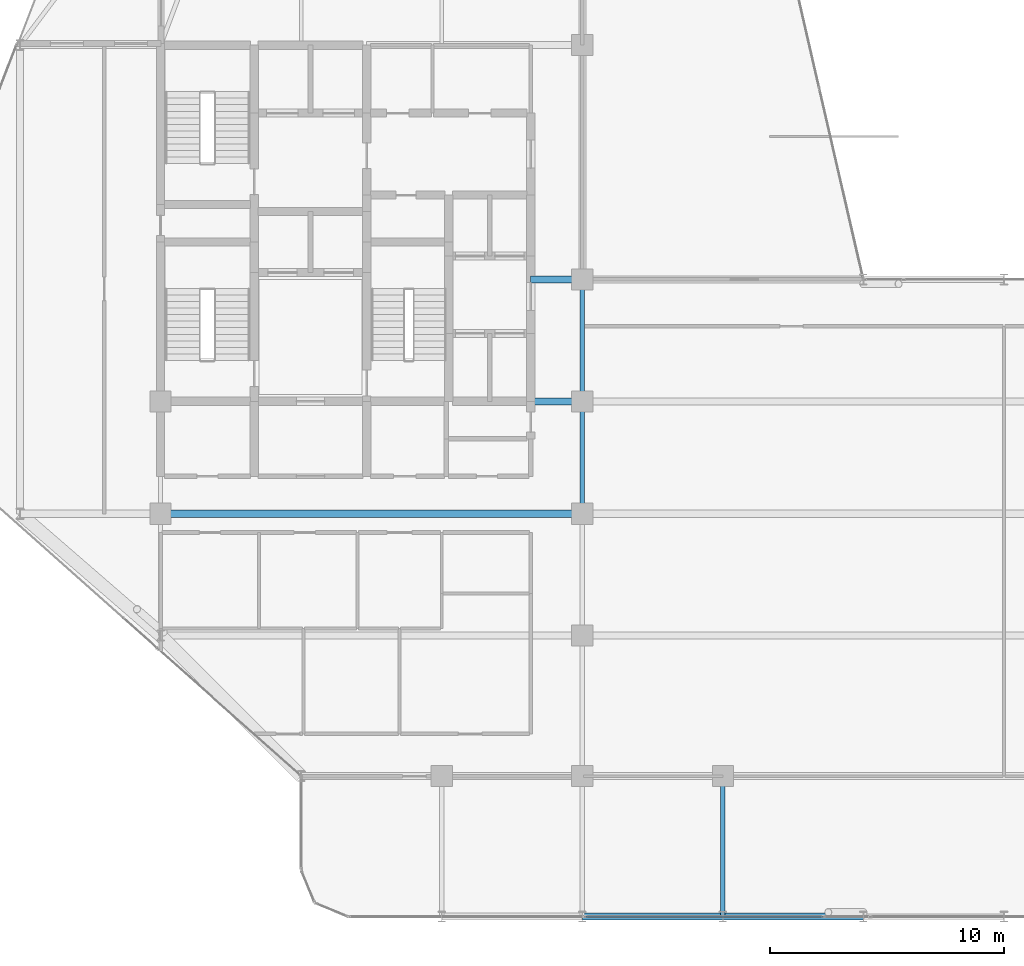
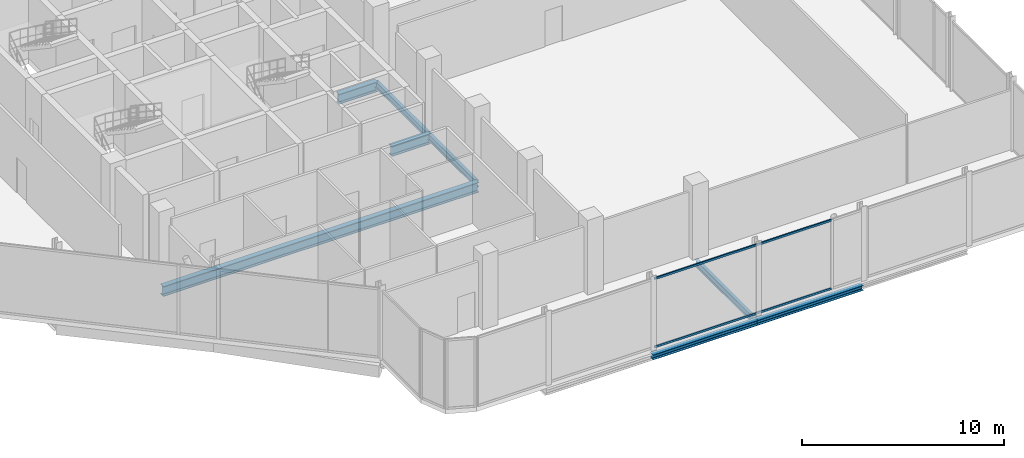
# One storey, part 11 of 31: 8 beams, 2 members, 1 element without a shape of its own.
"""IFC4 building model written with IfcOpenShell, lengths in metres."""

from ifc_helpers import new_model, si_unit, direction, frame, origin, origin_2d, place, context, subcontext, project, spatial, hollow_rectangle, i_section, extrude, material, layer, layer_set, material_profile, profile_set, type_object, element, aggregate, save


model = new_model("IFC4")

# Units and contexts
model_context = context("Model", 3, precision=1e-05, world=origin(), true_north=direction((0.0, 1.0)))
body_context = subcontext(model_context, "Body", "Model", "MODEL_VIEW")
ifc_project = project(units=[si_unit("LENGTHUNIT", "METRE"), si_unit("AREAUNIT", "SQUARE_METRE"), si_unit("VOLUMEUNIT", "CUBIC_METRE"), si_unit("PLANEANGLEUNIT", "RADIAN"), si_unit("MASSUNIT", "GRAM", prefix="KILO")], contexts=[model_context])

# Site, building, storey
site_placement = place(None, origin())
site = spatial("IfcSite", under=ifc_project, at=site_placement, CompositionType="ELEMENT")
building_placement = place(site_placement, origin())
building = spatial("IfcBuilding", under=site, at=building_placement, Name="Keshet Zoharim Tower", CompositionType="ELEMENT")
storey_placement = place(building_placement, frame((0.0, 0.0, 183.89990234375)))
storey = spatial("IfcBuildingStorey", under=building, at=storey_placement, Name="L45", CompositionType="ELEMENT", Elevation=183.89990234375)

# Beams
ifc_material_1 = material(Name="Steel S355", Category="steel")
ifc_material_profile_1 = material_profile(ifc_material_1, i_section(OverallWidth=0.300048828125, OverallDepth=0.60009765625, WebThickness=0.015380859375, FlangeThickness=0.030029296875, FilletRadius=0.027099609375, at=origin_2d()), Name="HEB600")
ifc_profile_set_1 = profile_set([ifc_material_profile_1], Name="Steel S355")
beam_type_1 = type_object("IfcBeamType", Name="BM-CLK-HB600", PredefinedType="BEAM", material=ifc_profile_set_1)
for number, where, z_axis, x_axis, name in (
    (1, (30.800048828125, 22.699951171875, -0.619873046875), (1.0, 0.0, 0.0), (0.0, 1.0, 0.0), "L45 Core Wall Link Girder 01"),
    (2, (30.800048828125, 27.89990234375, -0.619873046875), (1.0, 0.0, 0.0), (0.0, 1.0, 0.0), "L45 Core Wall Link Girder 02"),
):
    element("IfcBeam", number, at=place(storey_placement, frame(where, z_axis=z_axis, x_axis=x_axis)), inside=storey, type_object=beam_type_1, Name=name, PredefinedType="BEAM", context=body_context, shape_type="SweptSolid", body=[
        extrude(i_section(OverallWidth=0.300048828125, OverallDepth=0.60009765625, WebThickness=0.015380859375, FlangeThickness=0.030029296875, FilletRadius=0.027099609375, at=origin_2d()), origin(), (0.0, 0.0, 1.0), 2.199951171875),
    ])
ifc_material_profile_2 = material_profile(ifc_material_1, i_section(OverallWidth=0.300048828125, OverallDepth=0.60009765625, WebThickness=0.015380859375, FlangeThickness=0.030029296875, FilletRadius=0.027099609375, at=origin_2d()), Name="HEB600")
ifc_profile_set_2 = profile_set([ifc_material_profile_2], Name="Steel S355")
beam_type_2 = type_object("IfcBeamType", Name="BM-LNG-HB600", PredefinedType="BEAM", material=ifc_profile_set_2)
beam_1_placement = place(storey_placement, frame((15.0, 17.89990234375, -0.619873046875), z_axis=(1.0, 0.0, 0.0), x_axis=(0.0, 1.0, 0.0)))
element("IfcBeam", 3, at=beam_1_placement, inside=storey, type_object=beam_type_2, Name="L45 Primary Girder X-012", PredefinedType="BEAM", context=body_context, shape_type="SweptSolid", body=[
    extrude(i_section(OverallWidth=0.300048828125, OverallDepth=0.60009765625, WebThickness=0.015380859375, FlangeThickness=0.030029296875, FilletRadius=0.027099609375, at=origin_2d()), origin(), (0.0, 0.0, 1.0), 18.0),
])
ifc_material_profile_3 = material_profile(ifc_material_1, i_section(OverallWidth=0.300048828125, OverallDepth=0.300048828125, WebThickness=0.010986328125, FlangeThickness=0.01904296875, FilletRadius=0.027099609375, at=origin_2d()), Name="HEB300")
ifc_profile_set_3 = profile_set([ifc_material_profile_3], Name="Steel S355")
beam_type_3 = type_object("IfcBeamType", Name="BM-PRI-HB300", PredefinedType="BEAM", material=ifc_profile_set_3)
for number, where, z_axis, x_axis, name in (
    (4, (33.0, 0.699951171875, -0.469970703125), (1.0, 0.0, 0.0), (0.0, 1.0, 0.0), "L45 Primary Girder X-002"),
    (5, (39.0, 0.699951171875, -0.469970703125), (1.0, 0.0, 0.0), (0.0, 1.0, 0.0), "L45 Primary Girder X-003"),
):
    element("IfcBeam", number, at=place(storey_placement, frame(where, z_axis=z_axis, x_axis=x_axis)), inside=storey, type_object=beam_type_3, Name=name, PredefinedType="BEAM", context=body_context, shape_type="SweptSolid", body=[
        extrude(i_section(OverallWidth=0.300048828125, OverallDepth=0.300048828125, WebThickness=0.010986328125, FlangeThickness=0.01904296875, FilletRadius=0.027099609375, at=origin_2d()), origin(), (0.0, 0.0, 1.0), 6.0),
    ])
ifc_material_profile_4 = material_profile(ifc_material_1, i_section(OverallWidth=0.179931640625, OverallDepth=0.39990234375, WebThickness=0.008544921875, FlangeThickness=0.013427734375, FilletRadius=0.02099609375, at=origin_2d()), Name="IPE400")
ifc_profile_set_4 = profile_set([ifc_material_profile_4], Name="Steel S355")
beam_type_4 = type_object("IfcBeamType", Name="BM-PRI-IP400", PredefinedType="BEAM", material=ifc_profile_set_4)
beam_2_placement = place(storey_placement, frame((33.0, 17.89990234375, -0.52001953125), z_axis=(0.0, 1.0, 0.0), x_axis=(-1.0, 0.0, 0.0)))
element("IfcBeam", 6, at=beam_2_placement, inside=storey, type_object=beam_type_4, Name="L45 Primary Girder Y-008", PredefinedType="BEAM", context=body_context, shape_type="SweptSolid", body=[
    extrude(i_section(OverallWidth=0.179931640625, OverallDepth=0.39990234375, WebThickness=0.008544921875, FlangeThickness=0.013427734375, FilletRadius=0.02099609375, at=origin_2d()), origin(), (0.0, 0.0, 1.0), 4.800048828125),
])
beam_3_placement = place(storey_placement, frame((33.0, 22.699951171875, -0.52001953125), z_axis=(0.0, 1.0, 0.0), x_axis=(-1.0, 0.0, 0.0)))
element("IfcBeam", 7, at=beam_3_placement, inside=storey, type_object=beam_type_4, Name="L45 Primary Girder Y-009", PredefinedType="BEAM", context=body_context, shape_type="SweptSolid", body=[
    extrude(i_section(OverallWidth=0.179931640625, OverallDepth=0.39990234375, WebThickness=0.008544921875, FlangeThickness=0.013427734375, FilletRadius=0.02099609375, at=origin_2d()), origin(), (0.0, 0.0, 1.0), 5.199951171875),
])
beam_4_placement = place(storey_placement, frame((39.0, 0.699951171875, -0.52001953125), z_axis=(0.0, 1.0, 0.0), x_axis=(-1.0, 0.0, 0.0)))
element("IfcBeam", 8, at=beam_4_placement, inside=storey, type_object=beam_type_4, Name="L45 Primary Girder Y-012", PredefinedType="BEAM", context=body_context, shape_type="SweptSolid", body=[
    extrude(i_section(OverallWidth=0.179931640625, OverallDepth=0.39990234375, WebThickness=0.008544921875, FlangeThickness=0.013427734375, FilletRadius=0.02099609375, at=origin_2d()), origin(), (0.0, 0.0, 1.0), 6.0),
])

# Curtain wall, members
ifc_material_2 = material(Name="Aluminium 6063-T6", Category="aluminium")
ifc_layer = layer(ifc_material_2, 0.139892578125)
ifc_layer_set = layer_set([ifc_layer], Name="Aluminium 6063-T6")
curtain_wall_type = type_object("IfcCurtainWallType", Name="CW-SYS-05", PredefinedType="NOTDEFINED", material=ifc_layer_set)
curtain_wall_placement = place(storey_placement, origin())
curtain_wall = element("IfcCurtainWall", 9, at=curtain_wall_placement, inside=storey, type_object=curtain_wall_type, Name="L45 Unitised Curtain Wall 11 Part 3", PredefinedType="NOTDEFINED")
ifc_material_profile_5 = material_profile(ifc_material_2, hollow_rectangle(XDim=0.074951171875, YDim=0.1201171875, WallThickness=0.00390625, at=origin_2d()), Name="TRN-75x120")
ifc_profile_set_5 = profile_set([ifc_material_profile_5], Name="Aluminium 6063-T6")
member_type = type_object("IfcMemberType", Name="CWT-T12", PredefinedType="USERDEFINED", material=ifc_profile_set_5)
member_1_placement = place(storey_placement, frame((43.24755859375, 0.699951171875, 0.03515625), z_axis=(-1.0, 0.0, 0.0), x_axis=(0.0, -1.0, 0.0)))
member_1 = element("IfcMember", 10, at=member_1_placement, type_object=member_type, Name="CW-05 transom 1.1", ObjectType="TRANSOM", PredefinedType="USERDEFINED", context=body_context, shape_type="SweptSolid", body=[
    extrude(hollow_rectangle(XDim=0.074951171875, YDim=0.1201171875, WallThickness=0.00390625, at=origin_2d()), origin(), (0.0, 0.0, 1.0), 10.0888671875),
])
member_2_placement = place(storey_placement, frame((43.24755859375, 0.699951171875, 4.155029296875), z_axis=(-1.0, 0.0, 0.0), x_axis=(0.0, -1.0, 0.0)))
member_2 = element("IfcMember", 11, at=member_2_placement, type_object=member_type, Name="CW-05 transom 1.2", ObjectType="TRANSOM", PredefinedType="USERDEFINED", context=body_context, shape_type="SweptSolid", body=[
    extrude(hollow_rectangle(XDim=0.074951171875, YDim=0.1201171875, WallThickness=0.00390625, at=origin_2d()), origin(), (0.0, 0.0, 1.0), 10.0888671875),
])
aggregate(curtain_wall, [member_1, member_2])

save(model, "model.ifc")
